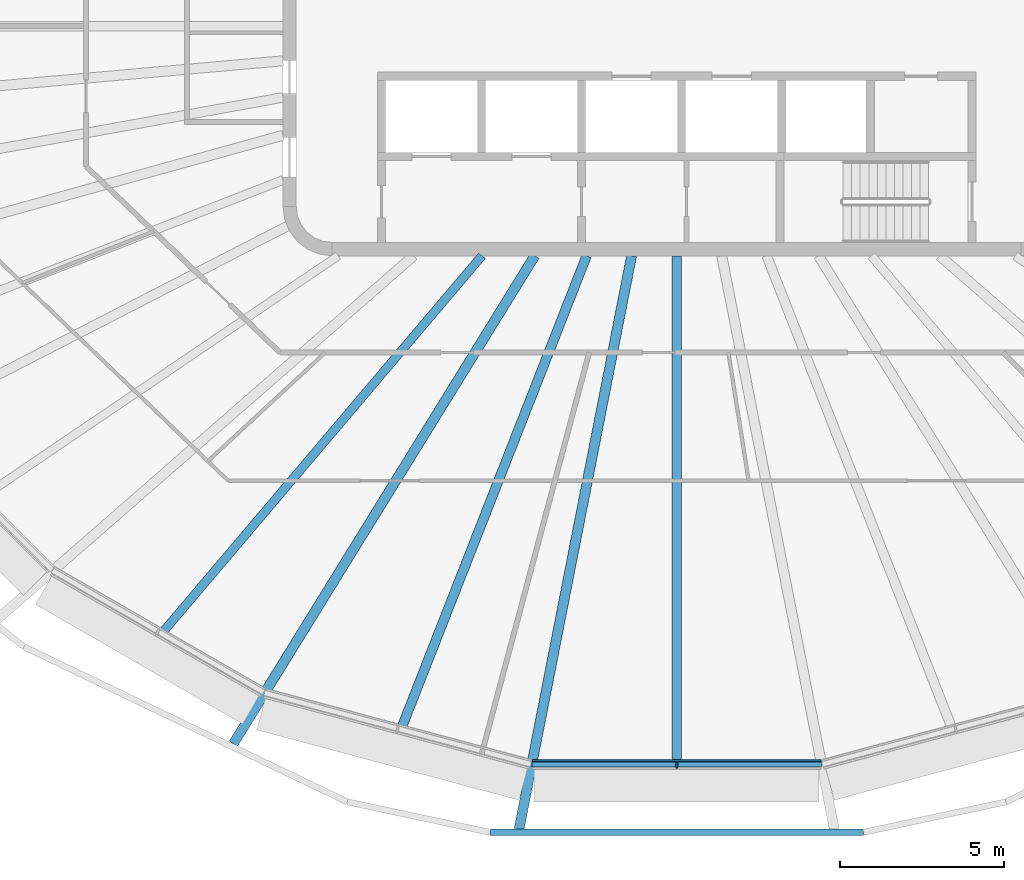
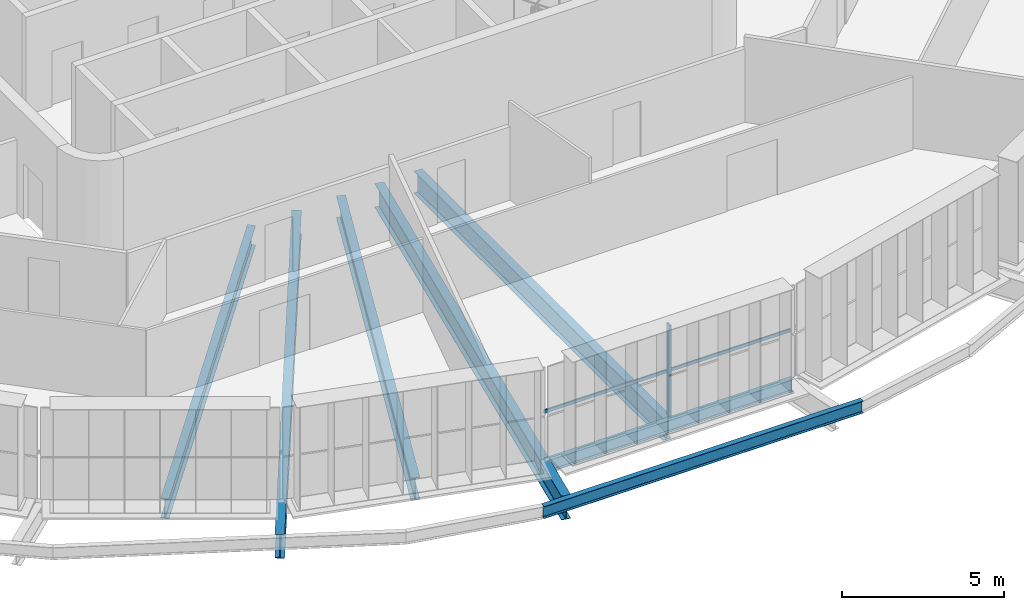
# One storey, part 2 of 18: 7 beams, 2 members, 1 element without a shape of its own.
"""IFC4 building model written with IfcOpenShell, lengths in metres."""

from ifc_helpers import new_model, si_unit, direction, frame, origin, origin_2d, place, context, subcontext, project, spatial, rectangle, i_section, extrude, material, layer, layer_set, material_profile, profile_set, type_object, element, aggregate, save


model = new_model("IFC4")

# Units and contexts
model_context = context("Model", 3, precision=1e-05, world=origin(), true_north=direction((0.0, 1.0)))
body_context = subcontext(model_context, "Body", "Model", "MODEL_VIEW")
ifc_project = project(units=[si_unit("LENGTHUNIT", "METRE"), si_unit("AREAUNIT", "SQUARE_METRE"), si_unit("VOLUMEUNIT", "CUBIC_METRE"), si_unit("PLANEANGLEUNIT", "RADIAN"), si_unit("MASSUNIT", "GRAM", prefix="KILO")], contexts=[model_context])

# Site, building, storey
site_placement = place(None, origin())
site = spatial("IfcSite", under=ifc_project, at=site_placement, CompositionType="ELEMENT")
building_placement = place(site_placement, origin())
building = spatial("IfcBuilding", under=site, at=building_placement, Name="Sahrelin Media Tower", CompositionType="ELEMENT")
storey_placement = place(building_placement, frame((0.0, 0.0, 295.0)))
storey = spatial("IfcBuildingStorey", under=building, at=storey_placement, Name="L65", CompositionType="ELEMENT", Elevation=295.0)

# Beam
ifc_material_1 = material(Name="Steel S355", Category="steel")
ifc_material_profile_1 = material_profile(ifc_material_1, i_section(OverallWidth=0.1904296875, OverallDepth=0.45703125, WebThickness=0.009033203125, FlangeThickness=0.014404296875, FilletRadius=0.01025390625, at=origin_2d()), Name="UB 457x191x74")
ifc_profile_set_1 = profile_set([ifc_material_profile_1], Name="Steel S355")
beam_type_1 = type_object("IfcBeamType", Name="Edge beam EB5", PredefinedType="BEAM", material=ifc_profile_set_1)
beam_1_placement = place(storey_placement, frame((4.40869140625, -22.485595703125, -0.37841796875), z_axis=(-1.0, 0.0, 0.0), x_axis=(0.0, -1.0, 0.0)))
element("IfcBeam", 1, at=beam_1_placement, inside=storey, type_object=beam_type_1, Name="Edge beam L65-07", PredefinedType="BEAM", context=body_context, shape_type="SweptSolid", body=[
    extrude(i_section(OverallWidth=0.1904296875, OverallDepth=0.45703125, WebThickness=0.009033203125, FlangeThickness=0.014404296875, FilletRadius=0.01025390625, at=origin_2d()), origin(), (0.0, 0.0, 1.0), 8.8173828125),
])

# Curtain wall, member
ifc_material_2 = material(Name="Champagne anodised aluminium 6063-T6", Category="aluminium")
ifc_layer = layer(ifc_material_2, 0.14990234375)
ifc_layer_set = layer_set([ifc_layer], Name="Tower ribbon curtain wall")
curtain_wall_type = type_object("IfcCurtainWallType", Name="Tower ribbon curtain wall", PredefinedType="NOTDEFINED", material=ifc_layer_set)
curtain_wall_placement = place(storey_placement, frame((0.0, -22.635498046875, 0.0), z_axis=(0.0, 0.0, 1.0), x_axis=(1.0, 0.0, 0.0)))
curtain_wall = element("IfcCurtainWall", 2, at=curtain_wall_placement, inside=storey, type_object=curtain_wall_type, Name="L65:CW:L65-18", PredefinedType="NOTDEFINED")
ifc_material_profile_2 = material_profile(ifc_material_2, rectangle(XDim=0.06005859375, YDim=0.199951171875, at=origin_2d()), Name="Mullion 60x200")
ifc_profile_set_2 = profile_set([ifc_material_profile_2], Name="Champagne anodised aluminium 6063-T6")
member_type_1 = type_object("IfcMemberType", Name="Mullion 60x200 CW1C", PredefinedType="MULLION", material=ifc_profile_set_2)
member_1_placement = place(storey_placement, frame((0.0, -22.515380859375, 0.0), z_axis=(0.0, 0.0, 1.0), x_axis=(1.0, 0.0, 0.0)))
member_1 = element("IfcMember", 3, at=member_1_placement, type_object=member_type_1, Name="L65:CWM:L65-18", PredefinedType="MULLION", context=body_context, shape_type="SweptSolid", body=[
    extrude(rectangle(XDim=0.06005859375, YDim=0.199951171875, at=origin_2d()), origin(), (0.0, 0.0, 1.0), 3.448486328125),
])

# Beams
ifc_material_profile_3 = material_profile(ifc_material_1, i_section(OverallWidth=0.30322265625, OverallDepth=0.903076171875, WebThickness=0.01513671875, FlangeThickness=0.020263671875, FilletRadius=0.01904296875, at=origin_2d()), Name="UB 914x305x201")
ifc_profile_set_3 = profile_set([ifc_material_profile_3], Name="Steel S355")
beam_type_2 = type_object("IfcBeamType", Name="Radial primary beam PB11", PredefinedType="BEAM", material=ifc_profile_set_3)
beam_2_placement = place(storey_placement, frame((-4.3251953125, -7.0, -0.6015625), z_axis=(-0.525640038522, -0.850707088194, 0.0), x_axis=(0.850707088194, -0.525640038522, 0.0)))
element("IfcBeam", 4, at=beam_2_placement, inside=storey, type_object=beam_type_2, Name="Radial beam L65-17", PredefinedType="BEAM", context=body_context, shape_type="SweptSolid", body=[
    extrude(i_section(OverallWidth=0.30322265625, OverallDepth=0.903076171875, WebThickness=0.01513671875, FlangeThickness=0.020263671875, FilletRadius=0.01904296875, at=origin_2d()), origin(), (0.0, 0.0, 1.0), 17.48291015625),
])
beam_3_placement = place(storey_placement, frame((-1.3740234375, -7.0, -0.6015625), z_axis=(-0.192606492872, -0.981276076802, 0.0), x_axis=(0.981276076802, -0.192606492872, 0.0)))
element("IfcBeam", 5, at=beam_3_placement, inside=storey, type_object=beam_type_2, Name="Radial beam L65-18", PredefinedType="BEAM", context=body_context, shape_type="SweptSolid", body=[
    extrude(i_section(OverallWidth=0.30322265625, OverallDepth=0.903076171875, WebThickness=0.01513671875, FlangeThickness=0.020263671875, FilletRadius=0.01904296875, at=origin_2d()), origin(), (0.0, 0.0, 1.0), 17.811767578125),
])
ifc_material_profile_4 = material_profile(ifc_material_1, i_section(OverallWidth=0.291748046875, OverallDepth=0.8349609375, WebThickness=0.013916015625, FlangeThickness=0.018798828125, FilletRadius=0.017822265625, at=origin_2d()), Name="UB 838x292x176")
ifc_profile_set_4 = profile_set([ifc_material_profile_4], Name="Steel S355")
beam_type_3 = type_object("IfcBeamType", Name="Radial secondary beam SB10", PredefinedType="BEAM", material=ifc_profile_set_4)
beam_4_placement = place(storey_placement, frame((-2.744384765625, -7.0, -0.5673828125), z_axis=(-0.365018797465, -0.931000149032, 0.0), x_axis=(0.931000149032, -0.365018797465, 0.0)))
element("IfcBeam", 6, at=beam_4_placement, inside=storey, type_object=beam_type_3, Name="Secondary beam L65-17", PredefinedType="BEAM", context=body_context, shape_type="SweptSolid", body=[
    extrude(i_section(OverallWidth=0.291748046875, OverallDepth=0.8349609375, WebThickness=0.013916015625, FlangeThickness=0.018798828125, FilletRadius=0.017822265625, at=origin_2d()), origin(), (0.0, 0.0, 1.0), 15.3935546875),
])
beam_5_placement = place(storey_placement, frame((0.0, -7.0, -0.5673828125), z_axis=(0.0, -1.0, 0.0), x_axis=(1.0, 0.0, 0.0)))
element("IfcBeam", 7, at=beam_5_placement, inside=storey, type_object=beam_type_3, Name="Secondary beam L65-18", PredefinedType="BEAM", context=body_context, shape_type="SweptSolid", body=[
    extrude(i_section(OverallWidth=0.291748046875, OverallDepth=0.8349609375, WebThickness=0.013916015625, FlangeThickness=0.018798828125, FilletRadius=0.017822265625, at=origin_2d()), origin(), (0.0, 0.0, 1.0), 15.390380859375),
])
ifc_material_profile_5 = material_profile(ifc_material_1, i_section(OverallWidth=0.26513671875, OverallDepth=0.75390625, WebThickness=0.0126953125, FlangeThickness=0.017578125, FilletRadius=0.0166015625, at=origin_2d()), Name="UB 762x267x147")
ifc_profile_set_5 = profile_set([ifc_material_profile_5], Name="Steel S355")
beam_type_4 = type_object("IfcBeamType", Name="Radial secondary beam SB9", PredefinedType="BEAM", material=ifc_profile_set_5)
beam_6_placement = place(storey_placement, frame((-5.935546875, -7.0, -0.527099609375), z_axis=(-0.646730360322, -0.762718716853, 0.0), x_axis=(0.762718716853, -0.646730360322, 0.0)))
element("IfcBeam", 8, at=beam_6_placement, inside=storey, type_object=beam_type_4, Name="Secondary beam L65-16", PredefinedType="BEAM", context=body_context, shape_type="SweptSolid", body=[
    extrude(i_section(OverallWidth=0.26513671875, OverallDepth=0.75390625, WebThickness=0.0126953125, FlangeThickness=0.017578125, FilletRadius=0.0166015625, at=origin_2d()), origin(), (0.0, 0.0, 1.0), 14.990966796875),
])
ifc_material_profile_6 = material_profile(ifc_material_1, i_section(OverallWidth=0.1904296875, OverallDepth=0.45703125, WebThickness=0.009033203125, FlangeThickness=0.014404296875, FilletRadius=0.01025390625, at=origin_2d()), Name="UB 457x191x74")
ifc_profile_set_6 = profile_set([ifc_material_profile_6], Name="Steel S355")
beam_type_5 = type_object("IfcBeamType", Name="Tie chord TC5", PredefinedType="BEAM", material=ifc_profile_set_6)
beam_7_placement = place(storey_placement, frame((-5.692626953125, -24.573486328125, -0.37841796875), z_axis=(1.0, 0.0, 0.0), x_axis=(0.0, 1.0, 0.0)))
element("IfcBeam", 9, at=beam_7_placement, inside=storey, type_object=beam_type_5, Name="Tie chord L65-18", PredefinedType="BEAM", context=body_context, shape_type="SweptSolid", body=[
    extrude(i_section(OverallWidth=0.1904296875, OverallDepth=0.45703125, WebThickness=0.009033203125, FlangeThickness=0.014404296875, FilletRadius=0.01025390625, at=origin_2d()), origin(), (0.0, 0.0, 1.0), 11.38525390625),
])

# Member
ifc_material_profile_7 = material_profile(ifc_material_2, rectangle(XDim=0.050048828125, YDim=0.1201171875, at=origin_2d()), Name="Transom 50x120")
ifc_profile_set_7 = profile_set([ifc_material_profile_7], Name="Champagne anodised aluminium 6063-T6")
member_type_2 = type_object("IfcMemberType", Name="Transom 50x120 CW1C", PredefinedType="USERDEFINED", material=ifc_profile_set_7)
member_2_placement = place(storey_placement, frame((-4.39306640625, -22.390380859375, 1.60009765625), z_axis=(1.0, 0.0, 0.0), x_axis=(0.0, 1.0, 0.0)))
member_2 = element("IfcMember", 10, at=member_2_placement, type_object=member_type_2, Name="L65:CWT:L65-18", ObjectType="TRANSOM", PredefinedType="USERDEFINED", context=body_context, shape_type="SweptSolid", body=[
    extrude(rectangle(XDim=0.050048828125, YDim=0.1201171875, at=origin_2d()), origin(), (0.0, 0.0, 1.0), 8.7861328125),
])

aggregate(curtain_wall, [member_1, member_2])

save(model, "model.ifc")
